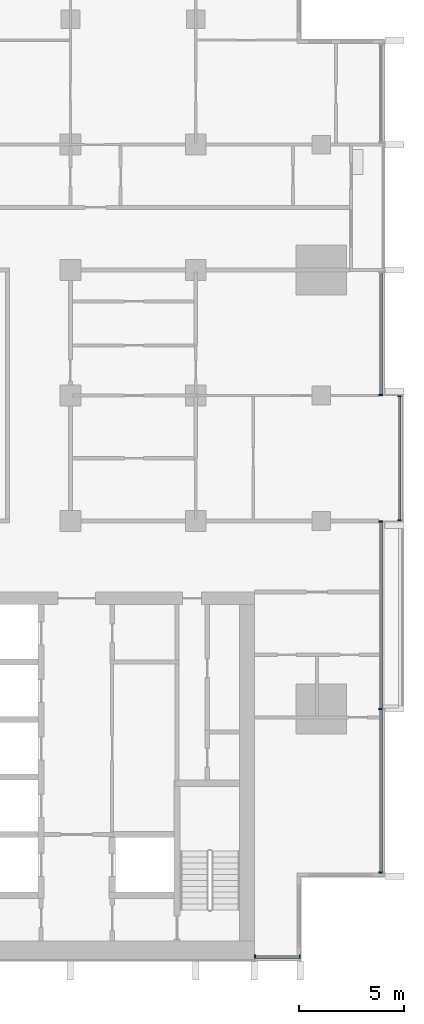
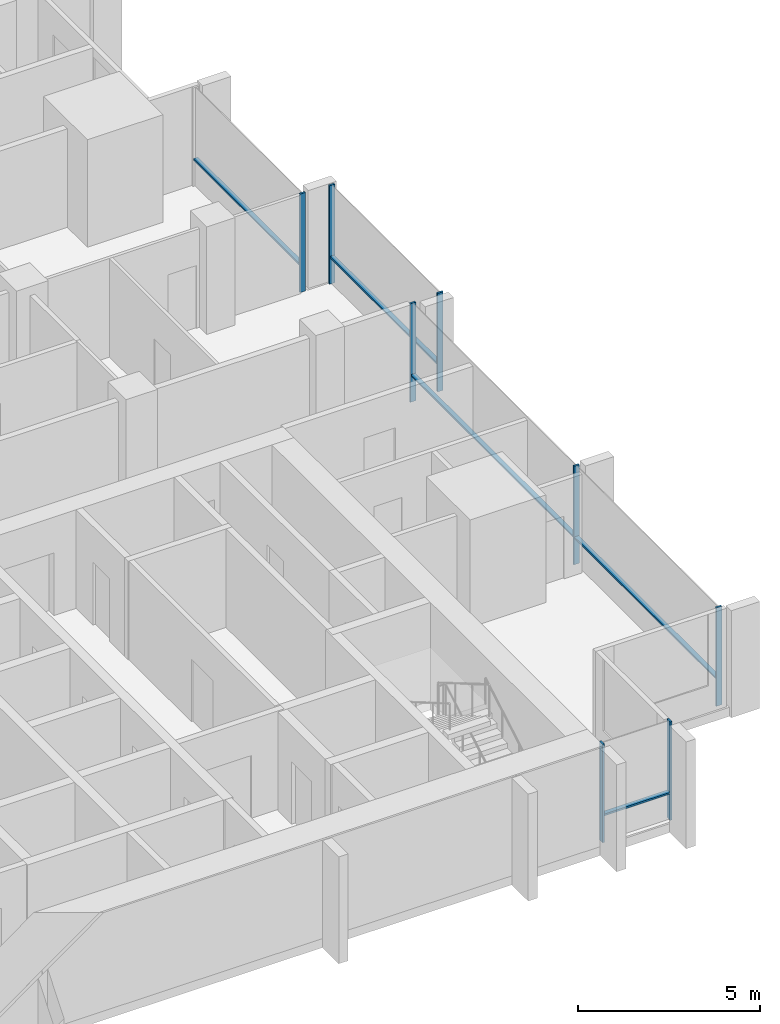
# One storey, part 3 of 16: 13 members, 4 elements without a shape of their own.
"""IFC4 building model written with IfcOpenShell, lengths in metres."""

from ifc_helpers import new_model, si_unit, direction, frame, origin, origin_2d, place, context, subcontext, project, spatial, rectangle, extrude, material, material_profile, profile_set, type_object, element, aggregate, save


model = new_model("IFC4")

# Units and contexts
model_context = context("Model", 3, precision=1e-05, world=origin(), true_north=direction((0.0, 1.0)))
body_context = subcontext(model_context, "Body", "Model", "MODEL_VIEW")
ifc_project = project(units=[si_unit("LENGTHUNIT", "METRE"), si_unit("AREAUNIT", "SQUARE_METRE"), si_unit("VOLUMEUNIT", "CUBIC_METRE"), si_unit("PLANEANGLEUNIT", "RADIAN"), si_unit("MASSUNIT", "GRAM", prefix="KILO")], contexts=[model_context])

# Site, building, storey
site_placement = place(None, origin())
site = spatial("IfcSite", under=ifc_project, at=site_placement, CompositionType="ELEMENT")
building_placement = place(site_placement, origin())
building = spatial("IfcBuilding", under=site, at=building_placement, Name="Finial Court Residences", CompositionType="ELEMENT")
storey_placement = place(building_placement, frame((0.0, 0.0, 156.5)))
storey = spatial("IfcBuildingStorey", under=building, at=storey_placement, Name="L38", CompositionType="ELEMENT", Elevation=156.5)

# Curtain wall, members
ifc_material = material(Name="Bronze anodised aluminium", Category="aluminium")
curtain_wall_type = type_object("IfcCurtainWallType", Name="Unitised curtain wall, upper zones", PredefinedType="NOTDEFINED", material=ifc_material)
curtain_wall_1_placement = place(storey_placement, origin())
curtain_wall_1 = element("IfcCurtainWall", 1, at=curtain_wall_1_placement, inside=storey, type_object=curtain_wall_type, Name="E-L38-CW-E4", PredefinedType="NOTDEFINED")
ifc_material_profile_1 = material_profile(ifc_material, rectangle(XDim=0.175048828125, YDim=0.06005859375, at=origin_2d()), Name="CW2 mullion 60 x 175")
ifc_profile_set_1 = profile_set([ifc_material_profile_1], Name="Bronze anodised aluminium")
member_type_1 = type_object("IfcMemberType", Name="CW2 mullion 60 x 175", PredefinedType="MULLION", material=ifc_profile_set_1)
member_1_placement = place(storey_placement, frame((19.35009765625, -21.320068359375, 0.0), z_axis=(0.0, 0.0, 1.0), x_axis=(-1.0, 0.0, 0.0)))
member_1 = element("IfcMember", 2, at=member_1_placement, type_object=member_type_1, Name="CW2 mullion 1", PredefinedType="MULLION", context=body_context, shape_type="SweptSolid", body=[
    extrude(rectangle(XDim=0.175048828125, YDim=0.06005859375, at=origin_2d()), origin(), (0.0, 0.0, 1.0), 3.300048828125),
])
member_2_placement = place(storey_placement, frame((19.35009765625, -13.5, 0.0), z_axis=(0.0, 0.0, 1.0), x_axis=(-1.0, 0.0, 0.0)))
member_2 = element("IfcMember", 3, at=member_2_placement, type_object=member_type_1, Name="CW2 mullion 2", PredefinedType="MULLION", context=body_context, shape_type="SweptSolid", body=[
    extrude(rectangle(XDim=0.175048828125, YDim=0.06005859375, at=origin_2d()), origin(), (0.0, 0.0, 1.0), 3.300048828125),
])
member_3_placement = place(storey_placement, frame((19.35009765625, -4.530029296875, 0.0), z_axis=(0.0, 0.0, 1.0), x_axis=(-1.0, 0.0, 0.0)))
member_3 = element("IfcMember", 4, at=member_3_placement, type_object=member_type_1, Name="CW2 mullion 3", PredefinedType="MULLION", context=body_context, shape_type="SweptSolid", body=[
    extrude(rectangle(XDim=0.175048828125, YDim=0.06005859375, at=origin_2d()), origin(), (0.0, 0.0, 1.0), 3.300048828125),
])

curtain_wall_2_placement = place(storey_placement, origin())
curtain_wall_2 = element("IfcCurtainWall", 5, at=curtain_wall_2_placement, inside=storey, type_object=curtain_wall_type, Name="E-L38-CW-E5", PredefinedType="NOTDEFINED")
member_4_placement = place(storey_placement, frame((20.25, -4.469970703125, 0.0), z_axis=(0.0, 0.0, 1.0), x_axis=(-1.0, 0.0, 0.0)))
member_4 = element("IfcMember", 6, at=member_4_placement, type_object=member_type_1, Name="CW2 mullion 1", PredefinedType="MULLION", context=body_context, shape_type="SweptSolid", body=[
    extrude(rectangle(XDim=0.175048828125, YDim=0.06005859375, at=origin_2d()), origin(), (0.0, 0.0, 1.0), 3.300048828125),
])
member_5_placement = place(storey_placement, frame((20.25, 1.469970703125, 0.0), z_axis=(0.0, 0.0, 1.0), x_axis=(-1.0, 0.0, 0.0)))
member_5 = element("IfcMember", 7, at=member_5_placement, type_object=member_type_1, Name="CW2 mullion 2", PredefinedType="MULLION", context=body_context, shape_type="SweptSolid", body=[
    extrude(rectangle(XDim=0.175048828125, YDim=0.06005859375, at=origin_2d()), origin(), (0.0, 0.0, 1.0), 3.300048828125),
])

# Curtain wall, member
curtain_wall_3_placement = place(storey_placement, origin())
curtain_wall_3 = element("IfcCurtainWall", 8, at=curtain_wall_3_placement, inside=storey, type_object=curtain_wall_type, Name="E-L38-CW-E6", PredefinedType="NOTDEFINED")
member_6_placement = place(storey_placement, frame((19.35009765625, 1.530029296875, 0.0), z_axis=(0.0, 0.0, 1.0), x_axis=(-1.0, 0.0, 0.0)))
member_6 = element("IfcMember", 9, at=member_6_placement, type_object=member_type_1, Name="CW2 mullion 1", PredefinedType="MULLION", context=body_context, shape_type="SweptSolid", body=[
    extrude(rectangle(XDim=0.175048828125, YDim=0.06005859375, at=origin_2d()), origin(), (0.0, 0.0, 1.0), 3.300048828125),
])

# Curtain wall, members
curtain_wall_4_placement = place(storey_placement, origin())
curtain_wall_4 = element("IfcCurtainWall", 10, at=curtain_wall_4_placement, inside=storey, type_object=curtain_wall_type, Name="E-L38-CW-S9", PredefinedType="NOTDEFINED")
member_7_placement = place(storey_placement, frame((13.330078125, -25.35009765625, 0.0), z_axis=(0.0, 0.0, 1.0), x_axis=(0.0, 1.0, 0.0)))
member_7 = element("IfcMember", 11, at=member_7_placement, type_object=member_type_1, Name="CW2 mullion 1", PredefinedType="MULLION", context=body_context, shape_type="SweptSolid", body=[
    extrude(rectangle(XDim=0.175048828125, YDim=0.06005859375, at=origin_2d()), origin(), (0.0, 0.0, 1.0), 3.300048828125),
])
member_8_placement = place(storey_placement, frame((15.469970703125, -25.35009765625, 0.0), z_axis=(0.0, 0.0, 1.0), x_axis=(0.0, 1.0, 0.0)))
member_8 = element("IfcMember", 12, at=member_8_placement, type_object=member_type_1, Name="CW2 mullion 2", PredefinedType="MULLION", context=body_context, shape_type="SweptSolid", body=[
    extrude(rectangle(XDim=0.175048828125, YDim=0.06005859375, at=origin_2d()), origin(), (0.0, 0.0, 1.0), 3.300048828125),
])

# Member
ifc_material_profile_2 = material_profile(ifc_material, rectangle(XDim=0.139892578125, YDim=0.06005859375, at=origin_2d()), Name="CW2 transom 60 x 140")
ifc_profile_set_2 = profile_set([ifc_material_profile_2], Name="Bronze anodised aluminium")
member_type_2 = type_object("IfcMemberType", Name="CW2 transom 60 x 140", PredefinedType="USERDEFINED", material=ifc_profile_set_2)
member_9_placement = place(storey_placement, frame((19.35009765625, -21.2900390625, 0.89990234375), z_axis=(0.0, 1.0, 0.0), x_axis=(-1.0, 0.0, 0.0)))
member_9 = element("IfcMember", 13, at=member_9_placement, type_object=member_type_2, Name="CW2 transom 1.1", ObjectType="TRANSOM", PredefinedType="USERDEFINED", context=body_context, shape_type="SweptSolid", body=[
    extrude(rectangle(XDim=0.139892578125, YDim=0.06005859375, at=origin_2d()), origin(), (0.0, 0.0, 1.0), 7.760009765625),
])

member_10_placement = place(storey_placement, frame((19.35009765625, -13.469970703125, 0.89990234375), z_axis=(0.0, 1.0, 0.0), x_axis=(-1.0, 0.0, 0.0)))
member_10 = element("IfcMember", 14, at=member_10_placement, type_object=member_type_2, Name="CW2 transom 2.1", ObjectType="TRANSOM", PredefinedType="USERDEFINED", context=body_context, shape_type="SweptSolid", body=[
    extrude(rectangle(XDim=0.139892578125, YDim=0.06005859375, at=origin_2d()), origin(), (0.0, 0.0, 1.0), 8.909912109375),
])

aggregate(curtain_wall_1, [member_1, member_2, member_3, member_9, member_10])

member_11_placement = place(storey_placement, frame((20.25, -4.43994140625, 0.89990234375), z_axis=(0.0, 1.0, 0.0), x_axis=(-1.0, 0.0, 0.0)))
member_11 = element("IfcMember", 15, at=member_11_placement, type_object=member_type_2, Name="CW2 transom 1.1", ObjectType="TRANSOM", PredefinedType="USERDEFINED", context=body_context, shape_type="SweptSolid", body=[
    extrude(rectangle(XDim=0.139892578125, YDim=0.06005859375, at=origin_2d()), origin(), (0.0, 0.0, 1.0), 5.8798828125),
])

aggregate(curtain_wall_2, [member_4, member_5, member_11])

member_12_placement = place(storey_placement, frame((19.35009765625, 1.56005859375, 0.89990234375), z_axis=(0.0, 1.0, 0.0), x_axis=(-1.0, 0.0, 0.0)))
member_12 = element("IfcMember", 16, at=member_12_placement, type_object=member_type_2, Name="CW2 transom 1.1", ObjectType="TRANSOM", PredefinedType="USERDEFINED", context=body_context, shape_type="SweptSolid", body=[
    extrude(rectangle(XDim=0.139892578125, YDim=0.06005859375, at=origin_2d()), origin(), (0.0, 0.0, 1.0), 5.804931640625),
])

aggregate(curtain_wall_3, [member_6, member_12])

member_13_placement = place(storey_placement, frame((13.360107421875, -25.35009765625, 0.89990234375), z_axis=(1.0, 0.0, 0.0), x_axis=(0.0, 1.0, 0.0)))
member_13 = element("IfcMember", 17, at=member_13_placement, type_object=member_type_2, Name="CW2 transom 1.1", ObjectType="TRANSOM", PredefinedType="USERDEFINED", context=body_context, shape_type="SweptSolid", body=[
    extrude(rectangle(XDim=0.139892578125, YDim=0.06005859375, at=origin_2d()), origin(), (0.0, 0.0, 1.0), 2.079833984375),
])

aggregate(curtain_wall_4, [member_7, member_8, member_13])

save(model, "model.ifc")
